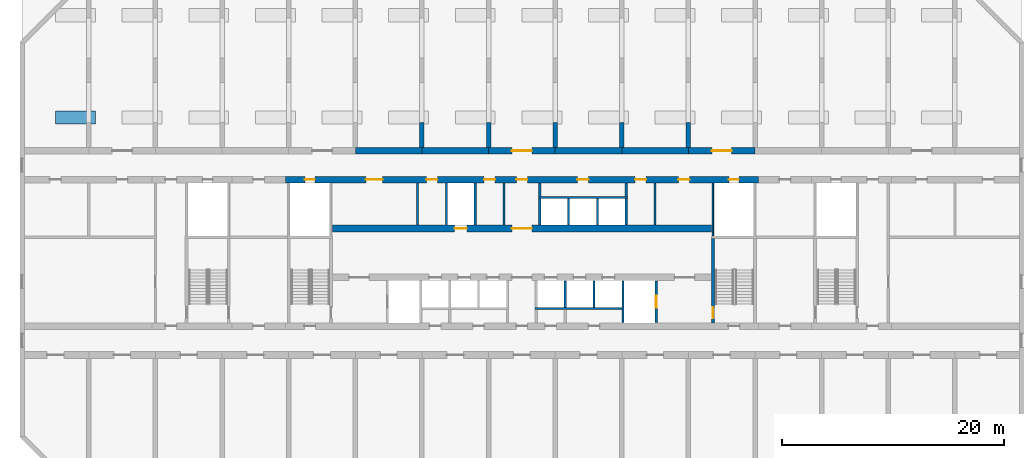
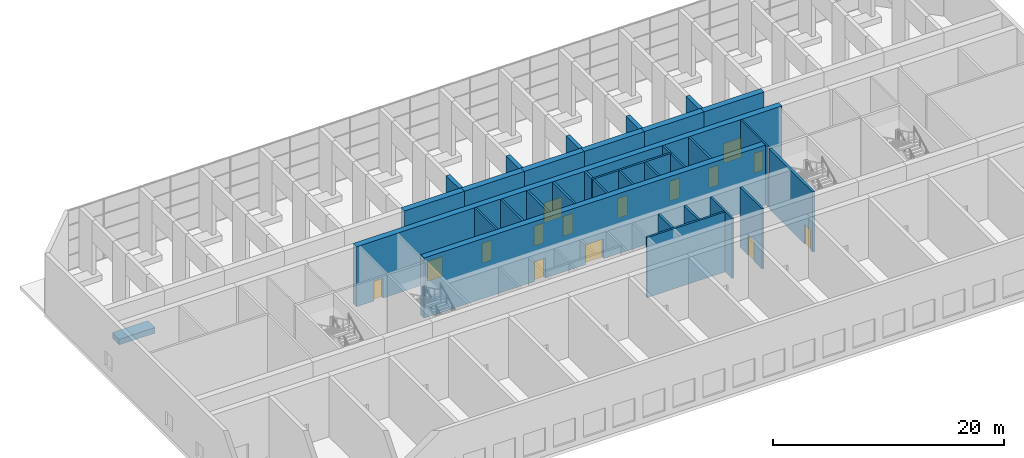
# One storey, part 10 of 15: 33 walls, 15 doors, 15 openings.
"""IFC4 building model written with IfcOpenShell, lengths in metres."""

from ifc_helpers import new_model, si_unit, direction, frame, frame_2d, origin, place, context, subcontext, project, spatial, polyline, rectangle, outline, extrude, source, transform, mapped, material, layer, layer_set, type_object, element, fill, save


model = new_model("IFC4")

# Units and contexts
model_context = context("Model", 3, precision=1e-05, world=origin(), true_north=direction((0.0, 1.0)))
body_context = subcontext(model_context, "Body", "Model", "MODEL_VIEW")
ifc_project = project(units=[si_unit("LENGTHUNIT", "METRE"), si_unit("AREAUNIT", "SQUARE_METRE"), si_unit("VOLUMEUNIT", "CUBIC_METRE"), si_unit("PLANEANGLEUNIT", "RADIAN"), si_unit("MASSUNIT", "GRAM", prefix="KILO")], contexts=[model_context])

# Site, building, storey
site_placement = place(None, origin())
site = spatial("IfcSite", under=ifc_project, at=site_placement, CompositionType="ELEMENT")
building_placement = place(site_placement, origin())
building = spatial("IfcBuilding", under=site, at=building_placement, Name="Poui Terraces", CompositionType="ELEMENT")
storey_placement = place(building_placement, frame((0.0, 0.0, 66.300048828125)))
storey = spatial("IfcBuildingStorey", under=building, at=storey_placement, Name="L18", CompositionType="ELEMENT", Elevation=66.300048828125)

# Walls
ifc_material_1 = material(Name="Concrete 80 MPa", Category="concrete")
ifc_layer_1 = layer(ifc_material_1, 0.60009765625)
ifc_layer_set_1 = layer_set([ifc_layer_1], Name="Concrete 80 MPa")
wall_type_1 = type_object("IfcWallType", Name="BELT WALL 600 80MPa", PredefinedType="SHEAR", material=ifc_layer_set_1)
for number, where, z_axis, x_axis, name in (
    (1, (36.0, 30.39990234375, 0.0), (0.0, 0.0, 1.0), (1.0, 0.0, 0.0), "BELT WALL LINE E BAY 6"),
    (2, (42.0, 30.39990234375, 0.0), (0.0, 0.0, 1.0), (1.0, 0.0, 0.0), "BELT WALL LINE E BAY 7"),
):
    element("IfcWall", number, at=place(storey_placement, frame(where, z_axis=z_axis, x_axis=x_axis)), inside=storey, type_object=wall_type_1, Name=name, PredefinedType="SHEAR", context=body_context, shape_type="SweptSolid", body=[
        extrude(rectangle(XDim=6.0, YDim=0.60009765625, at=frame_2d((3.0, 0.0))), origin(), (0.0, 0.0, 1.0), 6.35986328125),
    ])

# Wall, opening, door
wall_1_placement = place(storey_placement, frame((48.0, 30.39990234375, 0.0), z_axis=(0.0, 0.0, 1.0), x_axis=(1.0, 0.0, 0.0)))
wall_1 = element("IfcWall", 3, at=wall_1_placement, inside=storey, type_object=wall_type_1, Name="BELT WALL LINE E BAY 8", PredefinedType="SHEAR", context=body_context, shape_type="SweptSolid", body=[
    extrude(rectangle(XDim=6.0, YDim=0.60009765625, at=frame_2d((3.0, 0.0))), origin(), (0.0, 0.0, 1.0), 6.35986328125),
])
opening_1_placement = place(wall_1_placement, frame((2.10009765625, 0.0, 0.0)))
opening_1 = element("IfcOpeningElement", 4, at=opening_1_placement, cuts=wall_1, Name="Opening DD180", PredefinedType="OPENING", context=body_context, shape_type="SweptSolid", body=[
    extrude(rectangle(XDim=1.800048828125, YDim=2.10009765625, at=frame_2d((0.89990234375, 1.050048828125))), frame((0.0, 0.31005859375, 0.0), z_axis=(0.0, -1.0, 0.0), x_axis=(1.0, 0.0, 0.0)), (0.0, 0.0, 1.0), 0.6201171875),
])
ifc_material_2 = material(Name="Steel fire door", Category="steel")
door_type_1 = type_object("IfcDoorType", Name="DOUBLE INTERNAL DOOR 1800 X 2100", OperationType="DOUBLE_DOOR_SINGLE_SWING", PredefinedType="DOOR", material=ifc_material_2)
door_1_placement = place(opening_1_placement, frame((1.800048828125, 0.0, 0.0), z_axis=(0.0, 0.0, 1.0), x_axis=(-1.0, 0.0, 0.0)))
door_1 = element("IfcDoor", 5, at=door_1_placement, inside=storey, type_object=door_type_1, Name="DOUBLE INTERNAL DOOR 013", OperationType="DOUBLE_DOOR_SINGLE_SWING", OverallHeight=2.10009765625, OverallWidth=1.800048828125, PredefinedType="DOOR", context=body_context, shape_type="SweptSolid", body=[
    extrude(rectangle(XDim=1.800048828125, YDim=2.10009765625, at=frame_2d((0.89990234375, 1.050048828125))), frame((0.0, 0.02490234375, 0.0), z_axis=(0.0, -1.0, 0.0), x_axis=(1.0, 0.0, 0.0)), (0.0, 0.0, 1.0), 0.050048828125),
])
fill(opening_1, door_1)

# Walls
for number, where, z_axis, x_axis, name in (
    (6, (54.0, 30.39990234375, 0.0), (0.0, 0.0, 1.0), (1.0, 0.0, 0.0), "BELT WALL LINE E BAY 9"),
    (7, (60.0, 30.39990234375, 0.0), (0.0, 0.0, 1.0), (1.0, 0.0, 0.0), "BELT WALL LINE E BAY 10"),
):
    element("IfcWall", number, at=place(storey_placement, frame(where, z_axis=z_axis, x_axis=x_axis)), inside=storey, type_object=wall_type_1, Name=name, PredefinedType="SHEAR", context=body_context, shape_type="SweptSolid", body=[
        extrude(rectangle(XDim=6.0, YDim=0.60009765625, at=frame_2d((3.0, 0.0))), origin(), (0.0, 0.0, 1.0), 6.35986328125),
    ])

# Wall, opening, door
wall_2_placement = place(storey_placement, frame((66.0, 30.39990234375, 0.0), z_axis=(0.0, 0.0, 1.0), x_axis=(1.0, 0.0, 0.0)))
wall_2 = element("IfcWall", 8, at=wall_2_placement, inside=storey, type_object=wall_type_1, Name="BELT WALL LINE E BAY 11", PredefinedType="SHEAR", context=body_context, shape_type="SweptSolid", body=[
    extrude(rectangle(XDim=6.0, YDim=0.60009765625, at=frame_2d((3.0, 0.0))), origin(), (0.0, 0.0, 1.0), 6.35986328125),
])
opening_2_placement = place(wall_2_placement, frame((2.10009765625, 0.0, 0.0)))
opening_2 = element("IfcOpeningElement", 9, at=opening_2_placement, cuts=wall_2, Name="Opening DD180", PredefinedType="OPENING", context=body_context, shape_type="SweptSolid", body=[
    extrude(rectangle(XDim=1.800048828125, YDim=2.10009765625, at=frame_2d((0.89990234375, 1.050048828125))), frame((0.0, 0.31005859375, 0.0), z_axis=(0.0, -1.0, 0.0), x_axis=(1.0, 0.0, 0.0)), (0.0, 0.0, 1.0), 0.6201171875),
])
door_2_placement = place(opening_2_placement, frame((1.800048828125, 0.0, 0.0), z_axis=(0.0, 0.0, 1.0), x_axis=(-1.0, 0.0, 0.0)))
door_2 = element("IfcDoor", 10, at=door_2_placement, inside=storey, type_object=door_type_1, Name="DOUBLE INTERNAL DOOR 017", OperationType="DOUBLE_DOOR_SINGLE_SWING", OverallHeight=2.10009765625, OverallWidth=1.800048828125, PredefinedType="DOOR", context=body_context, shape_type="SweptSolid", body=[
    extrude(rectangle(XDim=1.800048828125, YDim=2.10009765625, at=frame_2d((0.89990234375, 1.050048828125))), frame((0.0, 0.02490234375, 0.0), z_axis=(0.0, -1.0, 0.0), x_axis=(1.0, 0.0, 0.0)), (0.0, 0.0, 1.0), 0.050048828125),
])
fill(opening_2, door_2)

# Wall, openings, doors
ifc_layer_2 = layer(ifc_material_1, 0.60009765625)
ifc_layer_set_2 = layer_set([ifc_layer_2], Name="Concrete 80 MPa")
wall_type_2 = type_object("IfcWallType", Name="CORE WALL 600 80 MPA", PredefinedType="SOLIDWALL", material=ifc_layer_set_2)
wall_3_placement = place(storey_placement, frame((33.925048828125, 23.39990234375, 0.0), z_axis=(0.0, 0.0, 1.0), x_axis=(1.0, 0.0, 0.0)))
wall_3 = element("IfcWall", 11, at=wall_3_placement, inside=storey, type_object=wall_type_2, Name="CORE WALL", PredefinedType="SOLIDWALL", context=body_context, shape_type="SweptSolid", body=[
    extrude(rectangle(XDim=34.14990234375, YDim=0.60009765625, at=frame_2d((17.074951171875, 0.0))), origin(), (0.0, 0.0, 1.0), 6.35986328125),
])
opening_3_placement = place(wall_3_placement, frame((16.175048828125, 0.0, 0.0)))
opening_3 = element("IfcOpeningElement", 12, at=opening_3_placement, cuts=wall_3, Name="Opening FDD60", PredefinedType="OPENING", context=body_context, shape_type="SweptSolid", body=[
    extrude(rectangle(XDim=1.800048828125, YDim=2.10009765625, at=frame_2d((0.89990234375, 1.050048828125))), frame((0.0, 0.31005859375, 0.0), z_axis=(0.0, -1.0, 0.0), x_axis=(1.0, 0.0, 0.0)), (0.0, 0.0, 1.0), 0.6201171875),
])
opening_4_placement = place(wall_3_placement, frame((11.02490234375, 0.0, 0.0)))
opening_4 = element("IfcOpeningElement", 13, at=opening_4_placement, cuts=wall_3, Name="Opening LD", PredefinedType="OPENING", context=body_context, shape_type="SweptSolid", body=[
    extrude(rectangle(XDim=1.10009765625, YDim=2.10009765625, at=frame_2d((0.550048828125, 1.050048828125))), frame((0.0, 0.31005859375, 0.0), z_axis=(0.0, -1.0, 0.0), x_axis=(1.0, 0.0, 0.0)), (0.0, 0.0, 1.0), 0.6201171875),
])
door_type_2 = type_object("IfcDoorType", Name="DOUBLE LOBBY FIRE DOOR 1800 X 2100", OperationType="DOUBLE_DOOR_SINGLE_SWING", PredefinedType="DOOR", material=ifc_material_2)
door_3_placement = place(opening_3_placement, origin())
door_3 = element("IfcDoor", 14, at=door_3_placement, inside=storey, type_object=door_type_2, Name="DOUBLE LOBBY FIRE DOOR 055", OperationType="DOUBLE_DOOR_SINGLE_SWING", OverallHeight=2.10009765625, OverallWidth=1.800048828125, PredefinedType="DOOR", context=body_context, shape_type="SweptSolid", body=[
    extrude(rectangle(XDim=1.800048828125, YDim=2.10009765625, at=frame_2d((0.89990234375, 1.050048828125))), frame((0.0, 0.02490234375, 0.0), z_axis=(0.0, -1.0, 0.0), x_axis=(1.0, 0.0, 0.0)), (0.0, 0.0, 1.0), 0.050048828125),
])
fill(opening_3, door_3)
ifc_material_3 = material(Name="Stainless steel sliding door", Category="steel")
door_type_3 = type_object("IfcDoorType", Name="LIFT LANDING DOOR 1100 X 2100", OperationType="DOUBLE_DOOR_SLIDING", PredefinedType="DOOR", material=ifc_material_3)
door_4_placement = place(opening_4_placement, origin())
door_4 = element("IfcDoor", 15, at=door_4_placement, inside=storey, type_object=door_type_3, Name="LANDING DOOR", OperationType="DOUBLE_DOOR_SLIDING", OverallHeight=2.10009765625, OverallWidth=1.10009765625, PredefinedType="DOOR", context=body_context, shape_type="SweptSolid", body=[
    extrude(rectangle(XDim=1.10009765625, YDim=2.10009765625, at=frame_2d((0.550048828125, 1.050048828125))), frame((0.0, 0.02490234375, 0.0), z_axis=(0.0, -1.0, 0.0), x_axis=(1.0, 0.0, 0.0)), (0.0, 0.0, 1.0), 0.050048828125),
])
fill(opening_4, door_4)

# Walls
ifc_layer_3 = layer(ifc_material_1, 0.39990234375)
ifc_layer_set_3 = layer_set([ifc_layer_3], Name="Concrete 80 MPa")
wall_type_3 = type_object("IfcWallType", Name="PIERCED CROSS WALL 400 80MPa", PredefinedType="SHEAR", material=ifc_layer_set_3)
for number, where, z_axis, x_axis, name in (
    (16, (42.0, 30.699951171875, 0.0), (0.0, 0.0, 1.0), (0.0, 1.0, 0.0), "PIER LINE 8 1"),
    (17, (48.0, 30.699951171875, 0.0), (0.0, 0.0, 1.0), (0.0, 1.0, 0.0), "PIER LINE 9 1"),
    (18, (54.0, 30.699951171875, 0.0), (0.0, 0.0, 1.0), (0.0, 1.0, 0.0), "PIER LINE 10 1"),
    (19, (60.0, 30.699951171875, 0.0), (0.0, 0.0, 1.0), (0.0, 1.0, 0.0), "PIER LINE 11 1"),
    (20, (66.0, 30.699951171875, 0.0), (0.0, 0.0, 1.0), (0.0, 1.0, 0.0), "PIER LINE 12 1"),
):
    element("IfcWall", number, at=place(storey_placement, frame(where, z_axis=z_axis, x_axis=x_axis)), inside=storey, type_object=wall_type_3, Name=name, PredefinedType="SHEAR", context=body_context, shape_type="SweptSolid", body=[
        extrude(rectangle(XDim=2.2333984375, YDim=0.39990234375, at=frame_2d((1.11669921875, 0.0))), origin(), (0.0, 0.0, 1.0), 6.35986328125),
    ])
ifc_material_4 = material(Name="Fire-rated masonry wall", Category="masonry")
ifc_layer_4 = layer(ifc_material_4, 0.199951171875)
ifc_layer_set_4 = layer_set([ifc_layer_4], Name="Fire-rated masonry wall")
wall_type_4 = type_object("IfcWallType", Name="PLANT ROOM WALL 200", PredefinedType="PARTITIONING", material=ifc_layer_set_4)
for number, where, z_axis, x_axis, name in (
    (21, (41.60009765625, 23.7099609375, 0.0), (0.0, 0.0, 1.0), (0.0, 1.0, 0.0), "PLANT ROOM WALL 200"),
    (22, (49.39990234375, 23.7099609375, 0.0), (0.0, 0.0, 1.0), (0.0, 1.0, 0.0), "PLANT ROOM WALL 200"),
):
    element("IfcWall", number, at=place(storey_placement, frame(where, z_axis=z_axis, x_axis=x_axis)), inside=storey, type_object=wall_type_4, Name=name, PredefinedType="PARTITIONING", context=body_context, shape_type="SweptSolid", body=[
        extrude(rectangle(XDim=3.780029296875, YDim=0.199951171875, at=frame_2d((1.89013671875, 0.0))), origin(), (0.0, 0.0, 1.0), 6.35986328125),
    ])
for number, where, z_axis, x_axis, name in (
    (23, (52.60009765625, 26.300048828125, 0.0), (0.0, 0.0, 1.0), (0.0, 1.0, 0.0), "PLANT ROOM WALL 200"),
    (24, (60.39990234375, 26.300048828125, 0.0), (0.0, 0.0, 1.0), (0.0, 1.0, 0.0), "PLANT ROOM WALL 200"),
):
    element("IfcWall", number, at=place(storey_placement, frame(where, z_axis=z_axis, x_axis=x_axis)), inside=storey, type_object=wall_type_4, Name=name, PredefinedType="PARTITIONING", context=body_context, shape_type="SweptSolid", body=[
        extrude(rectangle(XDim=1.18994140625, YDim=0.199951171875, at=frame_2d((0.594970703125, 0.0))), origin(), (0.0, 0.0, 1.0), 6.35986328125),
    ])
wall_4_placement = place(storey_placement, frame((63.0, 23.7099609375, 0.0), z_axis=(0.0, 0.0, 1.0), x_axis=(0.0, 1.0, 0.0)))
element("IfcWall", 25, at=wall_4_placement, inside=storey, type_object=wall_type_4, Name="PLANT ROOM WALL 200", PredefinedType="PARTITIONING", context=body_context, shape_type="SweptSolid", body=[
    extrude(rectangle(XDim=3.780029296875, YDim=0.199951171875, at=frame_2d((1.89013671875, 0.0))), origin(), (0.0, 0.0, 1.0), 6.35986328125),
])
ifc_material_5 = material(Name="Fire-rated plasterboard riser wall")
ifc_layer_5 = layer(ifc_material_5, 0.14990234375)
ifc_layer_set_5 = layer_set([ifc_layer_5], Name="Fire-rated plasterboard riser wall")
wall_type_5 = type_object("IfcWallType", Name="RISER WALL 150", PredefinedType="PARTITIONING", material=ifc_layer_set_5)
wall_5_placement = place(storey_placement, frame((68.199951171875, 22.735107421875, 0.0), z_axis=(0.0, 0.0, 1.0), x_axis=(0.0, 1.0, 0.0)))
element("IfcWall", 26, at=wall_5_placement, inside=storey, type_object=wall_type_5, Name="RISER WALL 150", PredefinedType="PARTITIONING", context=body_context, shape_type="SweptSolid", body=[
    extrude(rectangle(XDim=4.7548828125, YDim=0.14990234375, at=frame_2d((2.37744140625, 0.0))), origin(), (0.0, 0.0, 1.0), 6.35986328125),
])
ifc_material_6 = material(Name="Fire-rated masonry shaft wall", Category="masonry")
ifc_layer_6 = layer(ifc_material_6, 0.199951171875)
ifc_layer_set_6 = layer_set([ifc_layer_6], Name="Fire-rated masonry shaft wall")
wall_type_6 = type_object("IfcWallType", Name="SHAFT WALL 200", PredefinedType="PARTITIONING", material=ifc_layer_set_6)
wall_6_placement = place(storey_placement, frame((52.199951171875, 16.199951171875, 0.0), z_axis=(0.0, 0.0, 1.0), x_axis=(1.0, 0.0, 0.0)))
element("IfcWall", 27, at=wall_6_placement, inside=storey, type_object=wall_type_6, Name="SHAFT WALL 200", PredefinedType="PARTITIONING", context=body_context, shape_type="SweptSolid", body=[
    extrude(rectangle(XDim=7.800048828125, YDim=0.199951171875, at=frame_2d((3.89990234375, 0.0))), origin(), (0.0, 0.0, 1.0), 6.35986328125),
])
wall_7_placement = place(storey_placement, frame((52.5, 26.199951171875, 0.0), z_axis=(0.0, 0.0, 1.0), x_axis=(1.0, 0.0, 0.0)))
element("IfcWall", 28, at=wall_7_placement, inside=storey, type_object=wall_type_6, Name="SHAFT WALL 200", PredefinedType="PARTITIONING", context=body_context, shape_type="SweptSolid", body=[
    extrude(rectangle(XDim=8.0, YDim=0.199951171875, at=frame_2d((4.0, 0.0))), origin(), (0.0, 0.0, 1.0), 6.35986328125),
])
for number, where, z_axis, x_axis, name in (
    (29, (44.199951171875, 23.7099609375, 0.0), (0.0, 0.0, 1.0), (0.0, 1.0, 0.0), "SHAFT WALL 200"),
    (30, (46.800048828125, 23.7099609375, 0.0), (0.0, 0.0, 1.0), (0.0, 1.0, 0.0), "SHAFT WALL 200"),
):
    element("IfcWall", number, at=place(storey_placement, frame(where, z_axis=z_axis, x_axis=x_axis)), inside=storey, type_object=wall_type_6, Name=name, PredefinedType="PARTITIONING", context=body_context, shape_type="SweptSolid", body=[
        extrude(rectangle(XDim=3.780029296875, YDim=0.199951171875, at=frame_2d((1.89013671875, 0.0))), origin(), (0.0, 0.0, 1.0), 6.35986328125),
    ])
wall_8_placement = place(storey_placement, frame((52.60009765625, 23.7099609375, 0.0), z_axis=(0.0, 0.0, 1.0), x_axis=(0.0, 1.0, 0.0)))
element("IfcWall", 31, at=wall_8_placement, inside=storey, type_object=wall_type_6, Name="SHAFT WALL 200", PredefinedType="PARTITIONING", context=body_context, shape_type="SweptSolid", body=[
    extrude(rectangle(XDim=2.39013671875, YDim=0.199951171875, at=frame_2d((1.195068359375, 0.0))), origin(), (0.0, 0.0, 1.0), 6.35986328125),
])
wall_9_placement = place(storey_placement, frame((54.89990234375, 16.300048828125, 0.0), z_axis=(0.0, 0.0, 1.0), x_axis=(0.0, 1.0, 0.0)))
element("IfcWall", 32, at=wall_9_placement, inside=storey, type_object=wall_type_6, Name="SHAFT WALL 200", PredefinedType="PARTITIONING", context=body_context, shape_type="SweptSolid", body=[
    extrude(rectangle(XDim=2.389892578125, YDim=0.199951171875, at=frame_2d((1.19482421875, 0.0))), origin(), (0.0, 0.0, 1.0), 6.35986328125),
])
wall_10_placement = place(storey_placement, frame((55.199951171875, 23.7099609375, 0.0), z_axis=(0.0, 0.0, 1.0), x_axis=(0.0, 1.0, 0.0)))
element("IfcWall", 33, at=wall_10_placement, inside=storey, type_object=wall_type_6, Name="SHAFT WALL 200", PredefinedType="PARTITIONING", context=body_context, shape_type="SweptSolid", body=[
    extrude(rectangle(XDim=2.39013671875, YDim=0.199951171875, at=frame_2d((1.195068359375, 0.0))), origin(), (0.0, 0.0, 1.0), 6.35986328125),
])
wall_11_placement = place(storey_placement, frame((57.5, 16.300048828125, 0.0), z_axis=(0.0, 0.0, 1.0), x_axis=(0.0, 1.0, 0.0)))
element("IfcWall", 34, at=wall_11_placement, inside=storey, type_object=wall_type_6, Name="SHAFT WALL 200", PredefinedType="PARTITIONING", context=body_context, shape_type="SweptSolid", body=[
    extrude(rectangle(XDim=2.389892578125, YDim=0.199951171875, at=frame_2d((1.19482421875, 0.0))), origin(), (0.0, 0.0, 1.0), 6.35986328125),
])
wall_12_placement = place(storey_placement, frame((57.800048828125, 23.7099609375, 0.0), z_axis=(0.0, 0.0, 1.0), x_axis=(0.0, 1.0, 0.0)))
element("IfcWall", 35, at=wall_12_placement, inside=storey, type_object=wall_type_6, Name="SHAFT WALL 200", PredefinedType="PARTITIONING", context=body_context, shape_type="SweptSolid", body=[
    extrude(rectangle(XDim=2.39013671875, YDim=0.199951171875, at=frame_2d((1.195068359375, 0.0))), origin(), (0.0, 0.0, 1.0), 6.35986328125),
])
wall_13_placement = place(storey_placement, frame((60.10009765625, 14.909912109375, 0.0), z_axis=(0.0, 0.0, 1.0), x_axis=(0.0, 1.0, 0.0)))
element("IfcWall", 36, at=wall_13_placement, inside=storey, type_object=wall_type_6, Name="SHAFT WALL 200", PredefinedType="PARTITIONING", context=body_context, shape_type="SweptSolid", body=[
    extrude(rectangle(XDim=3.780029296875, YDim=0.199951171875, at=frame_2d((1.89013671875, 0.0))), origin(), (0.0, 0.0, 1.0), 6.35986328125),
])
wall_14_placement = place(storey_placement, frame((60.39990234375, 23.7099609375, 0.0), z_axis=(0.0, 0.0, 1.0), x_axis=(0.0, 1.0, 0.0)))
element("IfcWall", 37, at=wall_14_placement, inside=storey, type_object=wall_type_6, Name="SHAFT WALL 200", PredefinedType="PARTITIONING", context=body_context, shape_type="SweptSolid", body=[
    extrude(rectangle(XDim=2.39013671875, YDim=0.199951171875, at=frame_2d((1.195068359375, 0.0))), origin(), (0.0, 0.0, 1.0), 6.35986328125),
])

# Wall, opening, door
wall_15_placement = place(storey_placement, frame((63.10009765625, 14.909912109375, 0.0), z_axis=(0.0, 0.0, 1.0), x_axis=(0.0, 1.0, 0.0)))
wall_15 = element("IfcWall", 38, at=wall_15_placement, inside=storey, type_object=wall_type_6, Name="SHAFT WALL 200", PredefinedType="PARTITIONING", context=body_context, shape_type="SweptSolid", body=[
    extrude(rectangle(XDim=3.780029296875, YDim=0.199951171875, at=frame_2d((1.89013671875, 0.0))), origin(), (0.0, 0.0, 1.0), 6.35986328125),
])
opening_5_placement = place(wall_15_placement, frame((1.340087890625, 0.0, 0.0)))
opening_5 = element("IfcOpeningElement", 39, at=opening_5_placement, cuts=wall_15, Name="Opening LD", PredefinedType="OPENING", context=body_context, shape_type="SweptSolid", body=[
    extrude(rectangle(XDim=1.10009765625, YDim=2.10009765625, at=frame_2d((0.550048828125, 1.050048828125))), frame((0.0, 0.10986328125, 0.0), z_axis=(0.0, -1.0, 0.0), x_axis=(1.0, 0.0, 0.0)), (0.0, 0.0, 1.0), 0.219970703125),
])
door_5_placement = place(opening_5_placement, origin())
door_5 = element("IfcDoor", 40, at=door_5_placement, inside=storey, type_object=door_type_3, Name="LANDING DOOR", OperationType="DOUBLE_DOOR_SLIDING", OverallHeight=2.10009765625, OverallWidth=1.10009765625, PredefinedType="DOOR", context=body_context, shape_type="SweptSolid", body=[
    extrude(rectangle(XDim=1.10009765625, YDim=2.10009765625, at=frame_2d((0.550048828125, 1.050048828125))), frame((0.0, 0.02490234375, 0.0), z_axis=(0.0, -1.0, 0.0), x_axis=(1.0, 0.0, 0.0)), (0.0, 0.0, 1.0), 0.050048828125),
])
fill(opening_5, door_5)

# Wall, openings, doors
ifc_layer_7 = layer(ifc_material_1, 0.60009765625)
ifc_layer_set_7 = layer_set([ifc_layer_7], Name="Concrete 80 MPa")
wall_type_7 = type_object("IfcWallType", Name="SPINE WALL 600 80 MPA", PredefinedType="SOLIDWALL", material=ifc_layer_set_7)
wall_16_placement = place(storey_placement, frame((29.699951171875, 27.800048828125, 0.0), z_axis=(0.0, 0.0, 1.0), x_axis=(1.0, 0.0, 0.0)))
wall_16 = element("IfcWall", 41, at=wall_16_placement, inside=storey, type_object=wall_type_7, Name="SPINE WALL", PredefinedType="SOLIDWALL", context=body_context, shape_type="SweptSolid", body=[
    extrude(rectangle(XDim=42.60009765625, YDim=0.60009765625, at=frame_2d((21.300048828125, 0.0))), origin(), (0.0, 0.0, 1.0), 6.35986328125),
])
opening_6_placement = place(wall_16_placement, frame((1.75, 0.0, 0.0)))
opening_6 = element("IfcOpeningElement", 42, at=opening_6_placement, cuts=wall_16, Name="Opening FDR", PredefinedType="OPENING", context=body_context, shape_type="SweptSolid", body=[
    extrude(rectangle(XDim=0.89990234375, YDim=2.10009765625, at=frame_2d((0.449951171875, 1.050048828125))), frame((0.0, 0.31005859375, 0.0), z_axis=(0.0, -1.0, 0.0), x_axis=(1.0, 0.0, 0.0)), (0.0, 0.0, 1.0), 0.6201171875),
])
opening_7_placement = place(wall_16_placement, frame((7.25, 0.0, 0.0)))
opening_7 = element("IfcOpeningElement", 43, at=opening_7_placement, cuts=wall_16, Name="Opening FDP", PredefinedType="OPENING", context=body_context, shape_type="SweptSolid", body=[
    extrude(rectangle(XDim=1.5, YDim=2.10009765625, at=frame_2d((0.75, 1.050048828125))), frame((0.0, 0.31005859375, 0.0), z_axis=(0.0, -1.0, 0.0), x_axis=(1.0, 0.0, 0.0)), (0.0, 0.0, 1.0), 0.6201171875),
])
opening_8_placement = place(wall_16_placement, frame((12.699951171875, 0.0, 0.0)))
opening_8 = element("IfcOpeningElement", 44, at=opening_8_placement, cuts=wall_16, Name="Opening FD60", PredefinedType="OPENING", context=body_context, shape_type="SweptSolid", body=[
    extrude(rectangle(XDim=1.0, YDim=2.10009765625, at=frame_2d((0.5, 1.050048828125))), frame((0.0, 0.31005859375, 0.0), z_axis=(0.0, -1.0, 0.0), x_axis=(1.0, 0.0, 0.0)), (0.0, 0.0, 1.0), 0.6201171875),
])
opening_9_placement = place(wall_16_placement, frame((17.89990234375, 0.0, 0.0)))
opening_9 = element("IfcOpeningElement", 45, at=opening_9_placement, cuts=wall_16, Name="Opening FD60", PredefinedType="OPENING", context=body_context, shape_type="SweptSolid", body=[
    extrude(rectangle(XDim=1.0, YDim=2.10009765625, at=frame_2d((0.5, 1.050048828125))), frame((0.0, 0.31005859375, 0.0), z_axis=(0.0, -1.0, 0.0), x_axis=(1.0, 0.0, 0.0)), (0.0, 0.0, 1.0), 0.6201171875),
])
opening_10_placement = place(wall_16_placement, frame((20.800048828125, 0.0, 0.0)))
opening_10 = element("IfcOpeningElement", 46, at=opening_10_placement, cuts=wall_16, Name="Opening FDL", PredefinedType="OPENING", context=body_context, shape_type="SweptSolid", body=[
    extrude(rectangle(XDim=1.0, YDim=2.10009765625, at=frame_2d((0.5, 1.050048828125))), frame((0.0, 0.31005859375, 0.0), z_axis=(0.0, -1.0, 0.0), x_axis=(1.0, 0.0, 0.0)), (0.0, 0.0, 1.0), 0.6201171875),
])
opening_11_placement = place(wall_16_placement, frame((26.300048828125, 0.0, 0.0)))
opening_11 = element("IfcOpeningElement", 47, at=opening_11_placement, cuts=wall_16, Name="Opening FD60", PredefinedType="OPENING", context=body_context, shape_type="SweptSolid", body=[
    extrude(rectangle(XDim=1.0, YDim=2.10009765625, at=frame_2d((0.5, 1.050048828125))), frame((0.0, 0.31005859375, 0.0), z_axis=(0.0, -1.0, 0.0), x_axis=(1.0, 0.0, 0.0)), (0.0, 0.0, 1.0), 0.6201171875),
])
opening_12_placement = place(wall_16_placement, frame((31.5, 0.0, 0.0)))
opening_12 = element("IfcOpeningElement", 48, at=opening_12_placement, cuts=wall_16, Name="Opening FD60", PredefinedType="OPENING", context=body_context, shape_type="SweptSolid", body=[
    extrude(rectangle(XDim=1.0, YDim=2.10009765625, at=frame_2d((0.5, 1.050048828125))), frame((0.0, 0.31005859375, 0.0), z_axis=(0.0, -1.0, 0.0), x_axis=(1.0, 0.0, 0.0)), (0.0, 0.0, 1.0), 0.6201171875),
])
opening_13_placement = place(wall_16_placement, frame((35.39990234375, 0.0, 0.0)))
opening_13 = element("IfcOpeningElement", 49, at=opening_13_placement, cuts=wall_16, Name="Opening FD60", PredefinedType="OPENING", context=body_context, shape_type="SweptSolid", body=[
    extrude(rectangle(XDim=1.0, YDim=2.10009765625, at=frame_2d((0.5, 1.050048828125))), frame((0.0, 0.31005859375, 0.0), z_axis=(0.0, -1.0, 0.0), x_axis=(1.0, 0.0, 0.0)), (0.0, 0.0, 1.0), 0.6201171875),
])
opening_14_placement = place(wall_16_placement, frame((39.949951171875, 0.0, 0.0)))
opening_14 = element("IfcOpeningElement", 50, at=opening_14_placement, cuts=wall_16, Name="Opening FDR", PredefinedType="OPENING", context=body_context, shape_type="SweptSolid", body=[
    extrude(rectangle(XDim=0.89990234375, YDim=2.10009765625, at=frame_2d((0.449951171875, 1.050048828125))), frame((0.0, 0.31005859375, 0.0), z_axis=(0.0, -1.0, 0.0), x_axis=(1.0, 0.0, 0.0)), (0.0, 0.0, 1.0), 0.6201171875),
])
door_type_4 = type_object("IfcDoorType", Name="LOBBY FIRE DOOR 1000 X 2100", OperationType="NOTDEFINED", PredefinedType="DOOR", material=ifc_material_2)
door_6_placement = place(opening_10_placement, origin())
door_6 = element("IfcDoor", 51, at=door_6_placement, inside=storey, type_object=door_type_4, Name="LOBBY FIRE DOOR 012", OperationType="SINGLE_SWING_RIGHT", OverallHeight=2.10009765625, OverallWidth=1.0, PredefinedType="DOOR", context=body_context, shape_type="SweptSolid", body=[
    extrude(rectangle(XDim=1.0, YDim=2.10009765625, at=frame_2d((0.5, 1.050048828125))), frame((0.0, 0.02490234375, 0.0), z_axis=(0.0, -1.0, 0.0), x_axis=(1.0, 0.0, 0.0)), (0.0, 0.0, 1.0), 0.050048828125),
])
fill(opening_10, door_6)
door_type_5 = type_object("IfcDoorType", Name="PLANT ROOM DOOR PAIR 1500 X 2100", OperationType="DOUBLE_DOOR_SINGLE_SWING", PredefinedType="DOOR", material=ifc_material_2)
door_7_placement = place(opening_7_placement, origin())
door_7 = element("IfcDoor", 52, at=door_7_placement, inside=storey, type_object=door_type_5, Name="PLANT ROOM DOOR PAIR 009", OperationType="DOUBLE_DOOR_SINGLE_SWING", OverallHeight=2.10009765625, OverallWidth=1.5, PredefinedType="DOOR", context=body_context, shape_type="SweptSolid", body=[
    extrude(rectangle(XDim=1.5, YDim=2.10009765625, at=frame_2d((0.75, 1.050048828125))), frame((0.0, 0.02490234375, 0.0), z_axis=(0.0, -1.0, 0.0), x_axis=(1.0, 0.0, 0.0)), (0.0, 0.0, 1.0), 0.050048828125),
])
fill(opening_7, door_7)
door_type_6 = type_object("IfcDoorType", Name="RISER CUPBOARD DOOR 900 X 2100", OperationType="NOTDEFINED", PredefinedType="DOOR", material=ifc_material_2)
door_8_placement = place(opening_6_placement, origin())
door_8 = element("IfcDoor", 53, at=door_8_placement, inside=storey, type_object=door_type_6, Name="RISER CUPBOARD DOOR 007", OperationType="SINGLE_SWING_LEFT", OverallHeight=2.10009765625, OverallWidth=0.89990234375, PredefinedType="DOOR", context=body_context, shape_type="SweptSolid", body=[
    extrude(rectangle(XDim=0.89990234375, YDim=2.10009765625, at=frame_2d((0.449951171875, 1.050048828125))), frame((0.0, 0.02490234375, 0.0), z_axis=(0.0, -1.0, 0.0), x_axis=(1.0, 0.0, 0.0)), (0.0, 0.0, 1.0), 0.050048828125),
])
fill(opening_6, door_8)
door_9_placement = place(opening_14_placement, origin())
door_9 = element("IfcDoor", 54, at=door_9_placement, inside=storey, type_object=door_type_6, Name="RISER CUPBOARD DOOR 018", OperationType="SINGLE_SWING_RIGHT", OverallHeight=2.10009765625, OverallWidth=0.89990234375, PredefinedType="DOOR", context=body_context, shape_type="SweptSolid", body=[
    extrude(rectangle(XDim=0.89990234375, YDim=2.10009765625, at=frame_2d((0.449951171875, 1.050048828125))), frame((0.0, 0.02490234375, 0.0), z_axis=(0.0, -1.0, 0.0), x_axis=(1.0, 0.0, 0.0)), (0.0, 0.0, 1.0), 0.050048828125),
])
fill(opening_14, door_9)
door_type_7 = type_object("IfcDoorType", Name="SERVICE ROOM FIRE DOOR 1000 X 2100", OperationType="NOTDEFINED", PredefinedType="DOOR", material=ifc_material_2)
door_10_placement = place(opening_8_placement, origin())
door_10 = element("IfcDoor", 55, at=door_10_placement, inside=storey, type_object=door_type_7, Name="SERVICE ROOM FIRE DOOR 010", OperationType="SINGLE_SWING_RIGHT", OverallHeight=2.10009765625, OverallWidth=1.0, PredefinedType="DOOR", context=body_context, shape_type="SweptSolid", body=[
    extrude(rectangle(XDim=1.0, YDim=2.10009765625, at=frame_2d((0.5, 1.050048828125))), frame((0.0, 0.02490234375, 0.0), z_axis=(0.0, -1.0, 0.0), x_axis=(1.0, 0.0, 0.0)), (0.0, 0.0, 1.0), 0.050048828125),
])
fill(opening_8, door_10)
door_11_placement = place(opening_9_placement, origin())
door_11 = element("IfcDoor", 56, at=door_11_placement, inside=storey, type_object=door_type_7, Name="SERVICE ROOM FIRE DOOR 011", OperationType="SINGLE_SWING_LEFT", OverallHeight=2.10009765625, OverallWidth=1.0, PredefinedType="DOOR", context=body_context, shape_type="SweptSolid", body=[
    extrude(rectangle(XDim=1.0, YDim=2.10009765625, at=frame_2d((0.5, 1.050048828125))), frame((0.0, 0.02490234375, 0.0), z_axis=(0.0, -1.0, 0.0), x_axis=(1.0, 0.0, 0.0)), (0.0, 0.0, 1.0), 0.050048828125),
])
fill(opening_9, door_11)
door_12_placement = place(opening_11_placement, origin())
door_12 = element("IfcDoor", 57, at=door_12_placement, inside=storey, type_object=door_type_7, Name="SERVICE ROOM FIRE DOOR 014", OperationType="SINGLE_SWING_RIGHT", OverallHeight=2.10009765625, OverallWidth=1.0, PredefinedType="DOOR", context=body_context, shape_type="SweptSolid", body=[
    extrude(rectangle(XDim=1.0, YDim=2.10009765625, at=frame_2d((0.5, 1.050048828125))), frame((0.0, 0.02490234375, 0.0), z_axis=(0.0, -1.0, 0.0), x_axis=(1.0, 0.0, 0.0)), (0.0, 0.0, 1.0), 0.050048828125),
])
fill(opening_11, door_12)
door_13_placement = place(opening_12_placement, origin())
door_13 = element("IfcDoor", 58, at=door_13_placement, inside=storey, type_object=door_type_7, Name="SERVICE ROOM FIRE DOOR 015", OperationType="SINGLE_SWING_LEFT", OverallHeight=2.10009765625, OverallWidth=1.0, PredefinedType="DOOR", context=body_context, shape_type="SweptSolid", body=[
    extrude(rectangle(XDim=1.0, YDim=2.10009765625, at=frame_2d((0.5, 1.050048828125))), frame((0.0, 0.02490234375, 0.0), z_axis=(0.0, -1.0, 0.0), x_axis=(1.0, 0.0, 0.0)), (0.0, 0.0, 1.0), 0.050048828125),
])
fill(opening_12, door_13)
door_14_placement = place(opening_13_placement, origin())
door_14 = element("IfcDoor", 59, at=door_14_placement, inside=storey, type_object=door_type_7, Name="SERVICE ROOM FIRE DOOR 016", OperationType="SINGLE_SWING_RIGHT", OverallHeight=2.10009765625, OverallWidth=1.0, PredefinedType="DOOR", context=body_context, shape_type="SweptSolid", body=[
    extrude(rectangle(XDim=1.0, YDim=2.10009765625, at=frame_2d((0.5, 1.050048828125))), frame((0.0, 0.02490234375, 0.0), z_axis=(0.0, -1.0, 0.0), x_axis=(1.0, 0.0, 0.0)), (0.0, 0.0, 1.0), 0.050048828125),
])
fill(opening_13, door_14)

# Wall, opening, door
ifc_layer_8 = layer(ifc_material_1, 0.25)
ifc_layer_set_8 = layer_set([ifc_layer_8], Name="Concrete 80 MPa")
wall_type_8 = type_object("IfcWallType", Name="STAIR CORE WALL 250 80 MPA", PredefinedType="SOLIDWALL", material=ifc_layer_set_8)
wall_17_placement = place(storey_placement, frame((68.199951171875, 14.89990234375, 0.0), z_axis=(0.0, 0.0, 1.0), x_axis=(0.0, 1.0, 0.0)))
wall_17 = element("IfcWall", 60, at=wall_17_placement, inside=storey, type_object=wall_type_8, Name="STAIR CORE WALL", PredefinedType="SOLIDWALL", context=body_context, shape_type="SweptSolid", body=[
    extrude(rectangle(XDim=7.5751953125, YDim=0.25, at=frame_2d((3.78759765625, 0.0))), origin(), (0.0, 0.0, 1.0), 6.35986328125),
])
opening_15_placement = place(wall_17_placement, frame((0.39990234375, 0.0, 0.0)))
opening_15 = element("IfcOpeningElement", 61, at=opening_15_placement, cuts=wall_17, Name="Opening FD60S", PredefinedType="OPENING", context=body_context, shape_type="SweptSolid", body=[
    extrude(rectangle(XDim=1.0, YDim=2.10009765625, at=frame_2d((0.5, 1.050048828125))), frame((0.0, 0.135009765625, 0.0), z_axis=(0.0, -1.0, 0.0), x_axis=(1.0, 0.0, 0.0)), (0.0, 0.0, 1.0), 0.27001953125),
])
door_type_8 = type_object("IfcDoorType", Name="STAIR DOOR 1000 X 2100", OperationType="NOTDEFINED", PredefinedType="DOOR", material=ifc_material_2)
door_15_placement = place(opening_15_placement, frame((1.0, 0.0, 0.0), z_axis=(0.0, 0.0, 1.0), x_axis=(-1.0, 0.0, 0.0)))
door_15 = element("IfcDoor", 62, at=door_15_placement, inside=storey, type_object=door_type_8, Name="STAIR DOOR 052", OperationType="SINGLE_SWING_LEFT", OverallHeight=2.10009765625, OverallWidth=1.0, PredefinedType="DOOR", context=body_context, shape_type="SweptSolid", body=[
    extrude(rectangle(XDim=1.0, YDim=2.10009765625, at=frame_2d((0.5, 1.050048828125))), frame((0.0, 0.02490234375, 0.0), z_axis=(0.0, -1.0, 0.0), x_axis=(1.0, 0.0, 0.0)), (0.0, 0.0, 1.0), 0.050048828125),
])
fill(opening_15, door_15)

# Wall
ifc_material_7 = material(Name="Precast concrete 40 MPa", Category="concrete")
ifc_layer_9 = layer(ifc_material_7, 1.199951171875)
ifc_layer_set_9 = layer_set([ifc_layer_9], Name="Precast concrete 40 MPa")
wall_type_9 = type_object("IfcWallType", Name="PLANTER 600", PredefinedType="USERDEFINED", material=ifc_layer_set_9)
shared_shape = source(origin(), body_context, "Body", "SweptSolid", [
    extrude(outline(polyline([(0.0, 0.0), (3.60009765625, 0.0), (3.60009765625, 1.199951171875), (0.0, 1.199951171875), (0.0, 0.0)])), origin(), (0.0, 0.0, 1.0), 0.599853515625),
])
wall_18_placement = place(storey_placement, frame((9.0, 32.800048828125, 0.0)))
element("IfcWall", 63, at=wall_18_placement, inside=storey, type_object=wall_type_9, Name="PLANTER", ObjectType="PLANTER", PredefinedType="USERDEFINED", context=body_context, shape_type="MappedRepresentation", body=[
    mapped(shared_shape, transform((0.0, 0.0, 0.0))),
])

save(model, "model.ifc")
